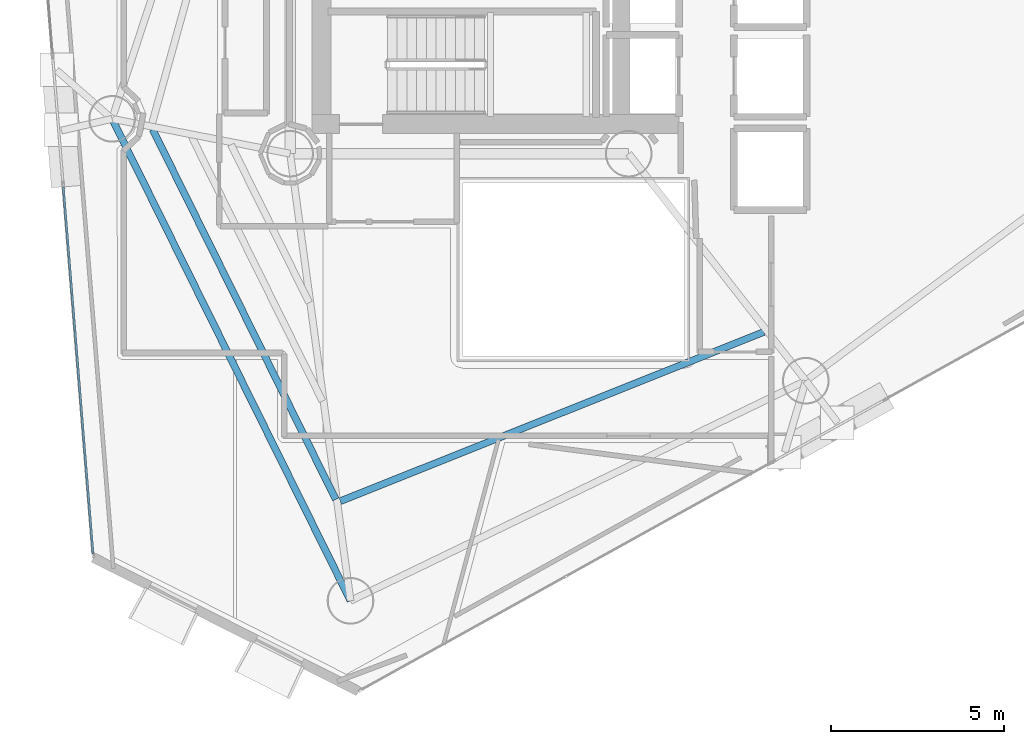
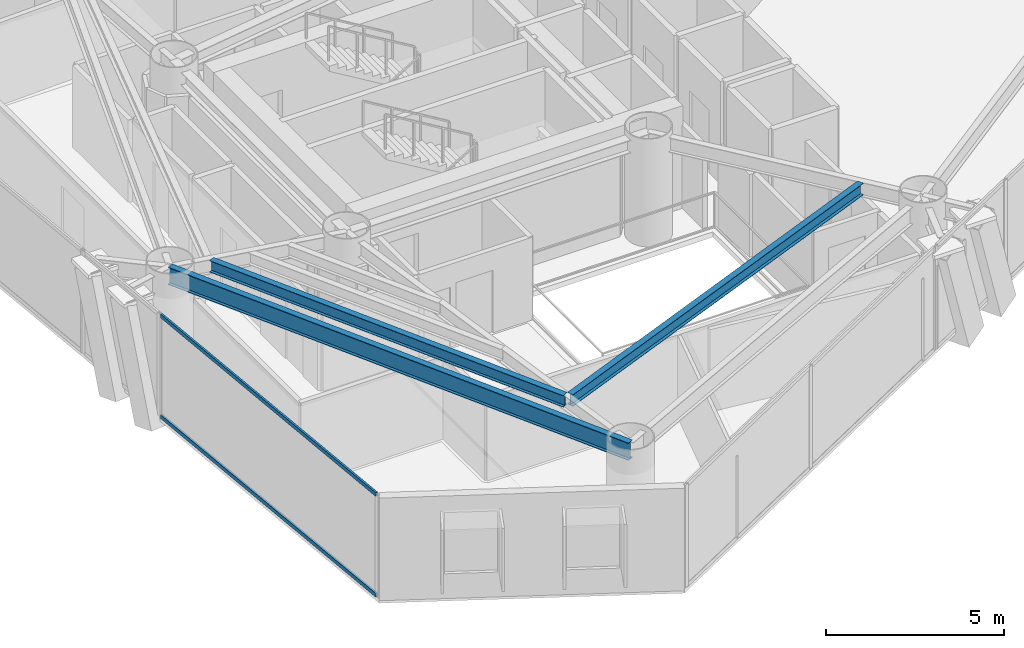
# One storey, part 3 of 21: 3 beams, 2 members, 1 element without a shape of its own.
"""IFC4 building model written with IfcOpenShell, lengths in metres."""

from ifc_helpers import new_model, si_unit, direction, frame, origin, origin_2d, place, context, subcontext, project, spatial, hollow_rectangle, i_section, extrude, material, layer, layer_set, material_profile, profile_set, type_object, element, aggregate, save


model = new_model("IFC4")

# Units and contexts
model_context = context("Model", 3, precision=1e-05, world=origin(), true_north=direction((0.0, 1.0)))
body_context = subcontext(model_context, "Body", "Model", "MODEL_VIEW")
ifc_project = project(units=[si_unit("LENGTHUNIT", "METRE"), si_unit("AREAUNIT", "SQUARE_METRE"), si_unit("VOLUMEUNIT", "CUBIC_METRE"), si_unit("PLANEANGLEUNIT", "RADIAN"), si_unit("MASSUNIT", "GRAM", prefix="KILO")], contexts=[model_context])

# Site, building, storey
site_placement = place(None, origin())
site = spatial("IfcSite", under=ifc_project, at=site_placement, CompositionType="ELEMENT")
building_placement = place(site_placement, origin())
building = spatial("IfcBuilding", under=site, at=building_placement, Name="Qianvela Tower", CompositionType="ELEMENT")
storey_placement = place(building_placement, frame((0.0, 0.0, 166.10009765625)))
storey = spatial("IfcBuildingStorey", under=building, at=storey_placement, Name="L42", CompositionType="ELEMENT", Elevation=166.10009765625)

# Beams
ifc_material_1 = material(Name="Steel Q355B", Category="steel")
ifc_material_profile_1 = material_profile(ifc_material_1, i_section(OverallWidth=0.199951171875, OverallDepth=0.39990234375, WebThickness=0.008056640625, FlangeThickness=0.012939453125, at=origin_2d()), Name="HN400x200x8x13")
ifc_profile_set_1 = profile_set([ifc_material_profile_1], Name="Steel Q355B")
beam_type_1 = type_object("IfcBeamType", Name="BM-HN400-JOIST", PredefinedType="JOIST", material=ifc_profile_set_1)
beam_1_placement = place(storey_placement, frame((24.622314453125, 24.551025390625, 3.31787109375), z_axis=(0.443417031377, -0.896315422318, 0.0), x_axis=(0.896315422318, 0.443417031377, 0.0)))
element("IfcBeam", 1, at=beam_1_placement, inside=storey, type_object=beam_type_1, Name="L42 Secondary Composite Floor Joist 4.3", PredefinedType="JOIST", context=body_context, shape_type="SweptSolid", body=[
    extrude(i_section(OverallWidth=0.199951171875, OverallDepth=0.39990234375, WebThickness=0.008056640625, FlangeThickness=0.012939453125, at=origin_2d()), origin(), (0.0, 0.0, 1.0), 11.94775390625),
])
beam_2_placement = place(storey_placement, frame((30.0517578125, 13.79150390625, 3.31787109375), z_axis=(0.928611849806, 0.371052600584, 0.0), x_axis=(-0.371052600584, 0.928611849806, 0.0)))
element("IfcBeam", 2, at=beam_2_placement, inside=storey, type_object=beam_type_1, Name="L42 Secondary Composite Floor Joist 5.3", PredefinedType="JOIST", context=body_context, shape_type="SweptSolid", body=[
    extrude(i_section(OverallWidth=0.199951171875, OverallDepth=0.39990234375, WebThickness=0.008056640625, FlangeThickness=0.012939453125, at=origin_2d()), origin(), (0.0, 0.0, 1.0), 13.19873046875),
])
ifc_material_2 = material(Name="Steel Q355B", Category="steel")
ifc_material_profile_2 = material_profile(ifc_material_2, i_section(OverallWidth=0.199951171875, OverallDepth=0.60009765625, WebThickness=0.010986328125, FlangeThickness=0.01708984375, at=origin_2d()), Name="HN600x200x11x17")
ifc_profile_set_2 = profile_set([ifc_material_profile_2], Name="Steel Q355B")
beam_type_2 = type_object("IfcBeamType", Name="BM-HN600-GIRD", PredefinedType="BEAM", material=ifc_profile_set_2)
beam_3_placement = place(storey_placement, frame((23.446044921875, 24.85888671875, 3.218017578125), z_axis=(0.443400805375, -0.896323449315, 0.0), x_axis=(0.896323449315, 0.443400805375, 0.0)))
element("IfcBeam", 3, at=beam_3_placement, inside=storey, type_object=beam_type_2, Name="L42 Perimeter Ring Spandrel Girder 4", PredefinedType="BEAM", context=body_context, shape_type="SweptSolid", body=[
    extrude(i_section(OverallWidth=0.199951171875, OverallDepth=0.60009765625, WebThickness=0.010986328125, FlangeThickness=0.01708984375, at=origin_2d()), origin(), (0.0, 0.0, 1.0), 15.5634765625),
])

# Curtain wall, members
ifc_material_3 = material(Name="Anodised Architectural Aluminium and Low-E Glass", Category="aluminium")
ifc_layer = layer(ifc_material_3, 0.169921875)
ifc_layer_set = layer_set([ifc_layer], Name="Anodised Architectural Aluminium and Low-E Glass")
curtain_wall_type = type_object("IfcCurtainWallType", Name="CW-COLIV-Z34", PredefinedType="USERDEFINED", material=ifc_layer_set)
curtain_wall_placement = place(storey_placement, origin())
curtain_wall = element("IfcCurtainWall", 4, at=curtain_wall_placement, inside=storey, type_object=curtain_wall_type, Name="L42 CW-COLIV-Z34 Curtain Wall 04C", ObjectType="CURTAIN_WALL_SYSTEM", PredefinedType="USERDEFINED")
ifc_material_4 = material(Name="Anodised Architectural Aluminium 6063-T6", Category="aluminium")
ifc_material_profile_3 = material_profile(ifc_material_4, hollow_rectangle(XDim=0.06494140625, YDim=0.1298828125, WallThickness=0.00439453125, at=origin_2d()), Name="ALU-TRAN-65x130")
ifc_profile_set_3 = profile_set([ifc_material_profile_3], Name="Anodised Architectural Aluminium 6063-T6")
member_type = type_object("IfcMemberType", Name="CW-COLIV-Z34-TRAN", PredefinedType="USERDEFINED", material=ifc_profile_set_3)
member_1_placement = place(storey_placement, frame((22.03466796875, 22.880615234375, 0.032470703125), z_axis=(0.08089839467, -0.996722353386, 0.0), x_axis=(0.996722353386, 0.08089839467, 0.0)))
member_1 = element("IfcMember", 5, at=member_1_placement, type_object=member_type, Name="CW-4 transom 1.1", ObjectType="TRANSOM", PredefinedType="USERDEFINED", context=body_context, shape_type="SweptSolid", body=[
    extrude(hollow_rectangle(XDim=0.06494140625, YDim=0.1298828125, WallThickness=0.00439453125, at=origin_2d()), origin(), (0.0, 0.0, 1.0), 10.64404296875),
])
member_2_placement = place(storey_placement, frame((22.03466796875, 22.880615234375, 3.4873046875), z_axis=(0.08089839467, -0.996722353386, 0.0), x_axis=(0.996722353386, 0.08089839467, 0.0)))
member_2 = element("IfcMember", 6, at=member_2_placement, type_object=member_type, Name="CW-4 transom 1.2", ObjectType="TRANSOM", PredefinedType="USERDEFINED", context=body_context, shape_type="SweptSolid", body=[
    extrude(hollow_rectangle(XDim=0.06494140625, YDim=0.1298828125, WallThickness=0.00439453125, at=origin_2d()), origin(), (0.0, 0.0, 1.0), 10.64404296875),
])
aggregate(curtain_wall, [member_1, member_2])

save(model, "model.ifc")
